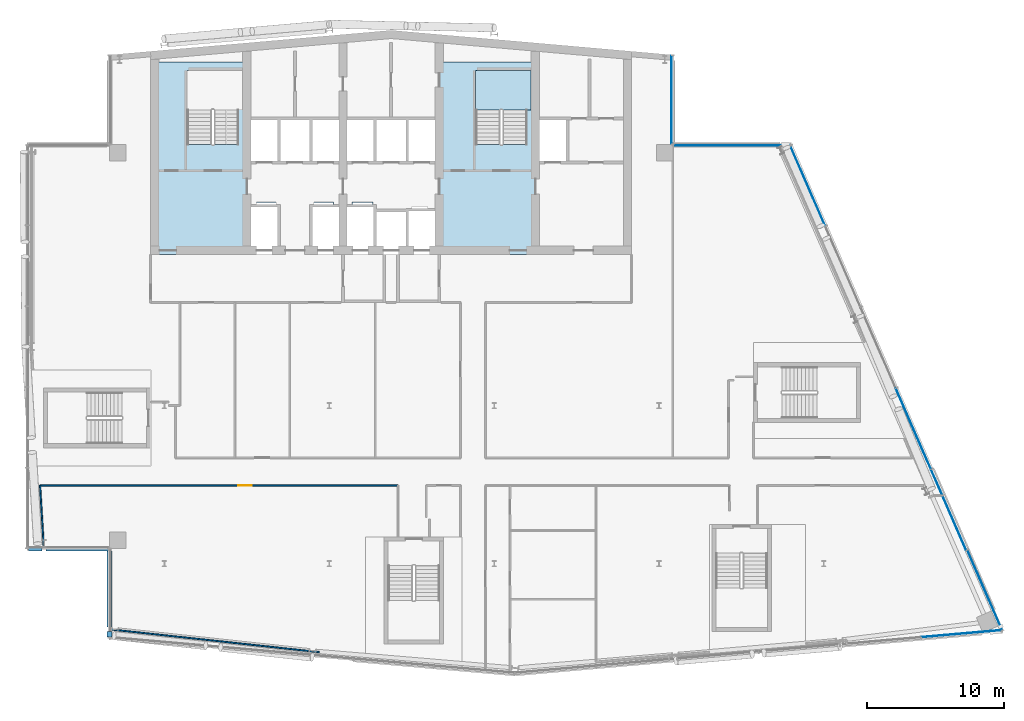
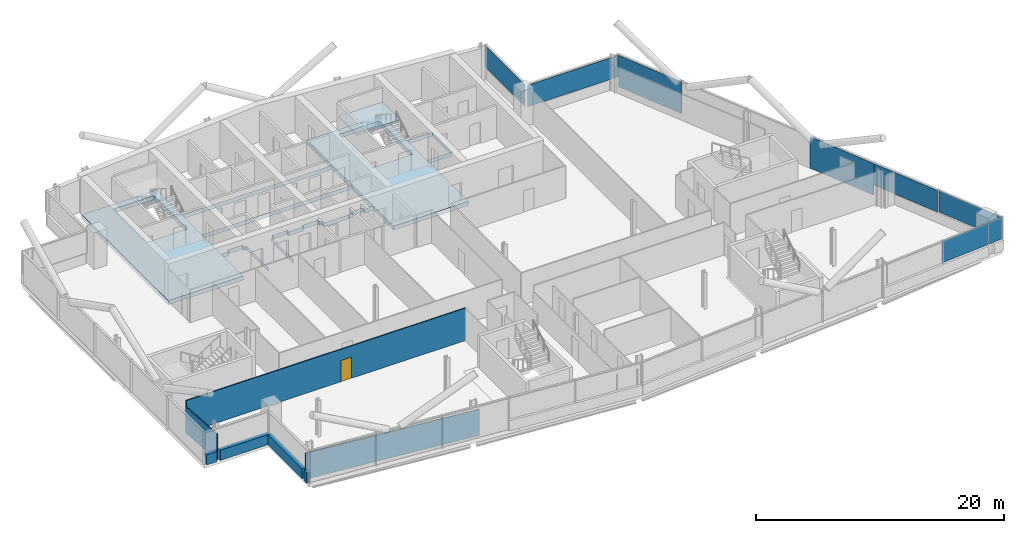
# One storey, part 14 of 26: 7 plates, 7 walls, 2 slabs, 1 door, 1 opening, 5 elements without a shape of their own.
"""IFC4 building model written with IfcOpenShell, lengths in metres."""

from ifc_helpers import new_model, si_unit, direction, frame, frame_2d, origin, origin_2d, place, context, subcontext, project, spatial, polyline, rectangle, outline, extrude, material, layer, layer_set, type_object, element, fill, aggregate, save


model = new_model("IFC4")

# Units and contexts
model_context = context("Model", 3, precision=1e-05, world=origin(), true_north=direction((0.0, 1.0)))
body_context = subcontext(model_context, "Body", "Model", "MODEL_VIEW")
ifc_project = project(units=[si_unit("LENGTHUNIT", "METRE"), si_unit("AREAUNIT", "SQUARE_METRE"), si_unit("VOLUMEUNIT", "CUBIC_METRE"), si_unit("PLANEANGLEUNIT", "RADIAN"), si_unit("MASSUNIT", "GRAM", prefix="KILO")], contexts=[model_context])

# Site, building, storey
site_placement = place(None, origin())
site = spatial("IfcSite", under=ifc_project, at=site_placement, CompositionType="ELEMENT")
building_placement = place(site_placement, origin())
building = spatial("IfcBuilding", under=site, at=building_placement, Name="Wharfspan Tower", CompositionType="ELEMENT")
storey_placement = place(building_placement, frame((0.0, 0.0, 214.300049)))
storey = spatial("IfcBuildingStorey", under=building, at=storey_placement, Name="L53", CompositionType="ELEMENT", Elevation=214.300049)

# Curtain wall, plate
ifc_material_1 = material(Name="Aluminium 6063-T6", Category="aluminium")
curtain_wall_type_1 = type_object("IfcCurtainWallType", Name="CURTAIN WALL FACETED FRONT", PredefinedType="NOTDEFINED", material=ifc_material_1)
curtain_wall_1_placement = place(storey_placement, origin())
curtain_wall_1 = element("IfcCurtainWall", 1, at=curtain_wall_1_placement, inside=storey, type_object=curtain_wall_type_1, Name="Curtain wall S2", PredefinedType="NOTDEFINED")
ifc_material_2 = material(Name="Glass clear low-iron double glazing", Category="glass")
ifc_layer_1 = layer(ifc_material_2, 0.040039)
ifc_layer_set_1 = layer_set([ifc_layer_1], Name="Glass clear low-iron double glazing")
plate_type_1 = type_object("IfcPlateType", Name="GLASS PANEL FACETED FRONT 40", PredefinedType="CURTAIN_PANEL", material=ifc_layer_set_1)
plate_1_placement = place(storey_placement, frame((82.021484, 6.399658, 1.0), z_axis=(0.0, 0.0, 1.0), x_axis=(0.996197, 0.087156, 0.0)))
plate_1 = element("IfcPlate", 2, at=plate_1_placement, type_object=plate_type_1, Name="Curtain wall S2 panel 6", PredefinedType="CURTAIN_PANEL", context=body_context, shape_type="SweptSolid", body=[
    extrude(rectangle(XDim=5.849365, YDim=0.040039, at=origin_2d()), origin(), (0.0, 0.0, 1.0), 2.120117),
])
aggregate(curtain_wall_1, [plate_1])

# Curtain wall, plates
curtain_wall_type_2 = type_object("IfcCurtainWallType", Name="CURTAIN WALL PROW AND END", PredefinedType="NOTDEFINED", material=ifc_material_1)
curtain_wall_2_placement = place(storey_placement, origin())
curtain_wall_2 = element("IfcCurtainWall", 3, at=curtain_wall_2_placement, inside=storey, type_object=curtain_wall_type_2, Name="Curtain wall E", PredefinedType="NOTDEFINED")
ifc_layer_2 = layer(ifc_material_2, 0.040039)
ifc_layer_set_2 = layer_set([ifc_layer_2], Name="Glass clear low-iron double glazing")
plate_type_2 = type_object("IfcPlateType", Name="GLASS PANEL PROW AND END 40", PredefinedType="CURTAIN_PANEL", material=ifc_layer_set_2)
plate_2_placement = place(storey_placement, frame((83.711426, 9.563721, 1.0), z_axis=(0.0, 0.0, 1.0), x_axis=(-0.398727, 0.917072, 0.0)))
plate_2 = element("IfcPlate", 4, at=plate_2_placement, type_object=plate_type_2, Name="Curtain wall E panel 1", PredefinedType="CURTAIN_PANEL", context=body_context, shape_type="SweptSolid", body=[
    extrude(rectangle(XDim=6.343506, YDim=0.040039, at=origin_2d()), origin(), (0.0, 0.0, 1.0), 2.120117),
])
plate_3_placement = place(storey_placement, frame((81.078857, 15.418213, 1.0), z_axis=(0.0, 0.0, 1.0), x_axis=(-0.398727, 0.917072, 0.0)))
plate_3 = element("IfcPlate", 5, at=plate_3_placement, type_object=plate_type_2, Name="Curtain wall E panel 2", PredefinedType="CURTAIN_PANEL", context=body_context, shape_type="SweptSolid", body=[
    extrude(rectangle(XDim=6.373535, YDim=0.040039, at=origin_2d()), origin(), (0.0, 0.0, 1.0), 2.120117),
])

# Curtain wall, plate
curtain_wall_3_placement = place(storey_placement, origin())
curtain_wall_3 = element("IfcCurtainWall", 6, at=curtain_wall_3_placement, inside=storey, type_object=curtain_wall_type_2, Name="Curtain wall NRE-H", PredefinedType="NOTDEFINED")
plate_4_placement = place(storey_placement, frame((65.304443, 41.919922, 1.0), z_axis=(0.0, 0.0, 1.0), x_axis=(-1.0, 0.0, 0.0)))
plate_4 = element("IfcPlate", 7, at=plate_4_placement, type_object=plate_type_2, Name="Curtain wall NRE-H panel 1", PredefinedType="CURTAIN_PANEL", context=body_context, shape_type="SweptSolid", body=[
    extrude(rectangle(XDim=8.48877, YDim=0.040039, at=origin_2d()), origin(), (0.0, 0.0, 1.0), 2.120117),
])
aggregate(curtain_wall_3, [plate_4])

curtain_wall_4_placement = place(storey_placement, origin())
curtain_wall_4 = element("IfcCurtainWall", 8, at=curtain_wall_4_placement, inside=storey, type_object=curtain_wall_type_2, Name="Curtain wall NRE-V", PredefinedType="NOTDEFINED")
plate_5_placement = place(storey_placement, frame((60.919922, 45.262451, 1.0), z_axis=(0.0, 0.0, 1.0), x_axis=(0.0, 1.0, 0.0)))
plate_5 = element("IfcPlate", 9, at=plate_5_placement, type_object=plate_type_2, Name="Curtain wall NRE-V panel 1", PredefinedType="CURTAIN_PANEL", context=body_context, shape_type="SweptSolid", body=[
    extrude(rectangle(XDim=6.405029, YDim=0.040039, at=origin_2d()), origin(), (0.0, 0.0, 1.0), 2.120117),
])
aggregate(curtain_wall_4, [plate_5])

# Plate
ifc_material_3 = material(Name="Aluminium composite opaque insulated panel", Category="aluminium")
ifc_layer_3 = layer(ifc_material_3, 0.040039)
ifc_layer_set_3 = layer_set([ifc_layer_3], Name="Aluminium composite opaque insulated panel")
plate_type_3 = type_object("IfcPlateType", Name="INFILL PANEL PROW AND END OPAQUE 40", PredefinedType="SHEET", material=ifc_layer_set_3)
plate_6_placement = place(storey_placement, frame((78.513672, 21.318115, 0.0), z_axis=(0.0, 0.0, 1.0), x_axis=(-0.398727, 0.917072, 0.0)))
plate_6 = element("IfcPlate", 10, at=plate_6_placement, type_object=plate_type_3, Name="Curtain wall E panel 3", PredefinedType="SHEET", context=body_context, shape_type="SweptSolid", body=[
    extrude(rectangle(XDim=6.373535, YDim=0.040039, at=origin_2d()), origin(), (0.0, 0.0, 1.0), 3.120117),
])

plate_7_placement = place(storey_placement, frame((70.823975, 39.004395, 0.0), z_axis=(0.0, 0.0, 1.0), x_axis=(-0.398727, 0.917072, 0.0)))
plate_7 = element("IfcPlate", 11, at=plate_7_placement, type_object=plate_type_3, Name="Curtain wall E panel 6", PredefinedType="SHEET", context=body_context, shape_type="SweptSolid", body=[
    extrude(rectangle(XDim=6.343506, YDim=0.040039, at=origin_2d()), origin(), (0.0, 0.0, 1.0), 3.120117),
])

aggregate(curtain_wall_2, [plate_2, plate_3, plate_6, plate_7])

# Slab
ifc_material_4 = material(Name="Concrete C40/50", Category="concrete")
ifc_layer_4 = layer(ifc_material_4, 0.399902)
ifc_layer_set_4 = layer_set([ifc_layer_4], Name="Concrete C40/50")
slab_type_1 = type_object("IfcSlabType", Name="Post-tensioned flat slab 400", PredefinedType="FLOOR", material=ifc_layer_set_4)
slab_1_placement = place(storey_placement, frame((0.0, 0.0, -0.400146)))
element("IfcSlab", 12, at=slab_1_placement, inside=storey, type_object=slab_type_1, Name="Core floor slab L53 part 2", PredefinedType="FLOOR", context=body_context, shape_type="SweptSolid", body=[
    extrude(outline(polyline([(23.0, 34.0), (29.998047, 34.0), (29.998047, 37.550049), (29.998047, 37.550293), (29.998047, 37.550293), (29.998047, 37.550537), (29.998291, 37.550781), (29.998291, 37.550781), (29.998291, 37.551025), (29.998535, 37.55127), (29.998535, 37.551514), (29.998779, 37.551514), (29.998779, 37.551758), (29.999023, 37.551758), (29.999268, 37.551758), (29.999512, 37.552002), (29.999512, 37.552002), (29.999756, 37.552002), (30.0, 37.552002), (30.7146, 37.552002), (30.7146, 37.800049), (30.7146, 37.800293), (30.7146, 37.800293), (30.714844, 37.800537), (30.714844, 37.800781), (30.714844, 37.800781), (30.715088, 37.801025), (30.715088, 37.80127), (30.715332, 37.801514), (30.715332, 37.801514), (30.715576, 37.801758), (30.71582, 37.801758), (30.71582, 37.801758), (30.716064, 37.802002), (30.716309, 37.802002), (30.716553, 37.802002), (30.716797, 37.802002), (32.116699, 37.802002), (32.116943, 37.802002), (32.117188, 37.802002), (32.117188, 37.802002), (32.117432, 37.801758), (32.117676, 37.801758), (32.11792, 37.801758), (32.11792, 37.801514), (32.118164, 37.801514), (32.118164, 37.80127), (32.118408, 37.801025), (32.118408, 37.800781), (32.118408, 37.800781), (32.118652, 37.800537), (32.118652, 37.800293), (32.118652, 37.800293), (32.118652, 37.800049), (32.118652, 37.552002), (32.333252, 37.552002), (32.333496, 37.552002), (32.33374, 37.552002), (32.333984, 37.552002), (32.333984, 37.551758), (32.334229, 37.551758), (32.334473, 37.551758), (32.334717, 37.551514), (32.334717, 37.551514), (32.334961, 37.55127), (32.334961, 37.551025), (32.335205, 37.550781), (32.335205, 37.550781), (32.335205, 37.550537), (32.335205, 37.550293), (32.335205, 37.550293), (32.335205, 37.550049), (32.335205, 34.0), (32.341309, 34.0), (32.341309, 37.558105), (32.126709, 37.558105), (32.126465, 37.558105), (32.126221, 37.558105), (32.126221, 37.558105), (32.125977, 37.558105), (32.125732, 37.558105), (32.125488, 37.55835), (32.125488, 37.558594), (32.125244, 37.558594), (32.125244, 37.558594), (32.125, 37.558838), (32.125, 37.559082), (32.125, 37.559082), (32.124756, 37.559326), (32.124756, 37.55957), (32.124756, 37.559814), (32.124756, 37.560059), (32.124756, 37.808105), (30.70874, 37.808105), (30.70874, 37.560059), (30.70874, 37.559814), (30.70874, 37.55957), (30.708496, 37.559326), (30.708496, 37.559082), (30.708496, 37.559082), (30.708496, 37.558838), (30.708252, 37.558594), (30.708008, 37.558594), (30.708008, 37.558594), (30.707764, 37.55835), (30.70752, 37.558105), (30.70752, 37.558105), (30.707275, 37.558105), (30.707031, 37.558105), (30.706787, 37.558105), (30.706787, 37.558105), (30.01001, 37.558105), (30.009766, 37.558105), (30.009521, 37.558105), (30.009521, 37.558105), (30.009277, 37.558105), (30.009033, 37.558105), (30.008789, 37.55835), (30.008789, 37.558594), (30.008545, 37.558594), (30.008545, 37.558594), (30.008301, 37.558838), (30.008301, 37.559082), (30.008301, 37.559082), (30.008057, 37.559326), (30.008057, 37.55957), (30.008057, 37.559814), (30.008057, 37.560059), (30.008057, 40.689941), (30.008057, 40.690186), (30.008057, 40.69043), (30.008057, 40.690674), (30.008301, 40.690918), (30.008301, 40.690918), (30.008301, 40.691162), (30.008545, 40.691406), (30.008545, 40.691406), (30.008789, 40.691406), (30.008789, 40.69165), (30.009033, 40.691895), (30.009277, 40.691895), (30.009521, 40.691895), (30.009521, 40.691895), (30.009766, 40.691895), (30.01001, 40.691895), (43.98999, 40.691895), (43.990234, 40.691895), (43.990479, 40.691895), (43.990479, 40.691895), (43.990723, 40.691895), (43.990967, 40.691895), (43.991211, 40.69165), (43.991211, 40.691406), (43.991455, 40.691406), (43.991455, 40.691406), (43.991699, 40.691162), (43.991699, 40.690918), (43.991699, 40.690918), (43.991943, 40.690674), (43.991943, 40.69043), (43.991943, 40.690186), (43.991943, 40.689941), (43.991943, 37.26001), (43.991943, 37.259766), (43.991943, 37.259521), (43.991943, 37.259521), (43.991699, 37.259277), (43.991699, 37.259033), (43.991699, 37.258789), (43.991455, 37.258789), (43.991455, 37.258545), (43.991211, 37.258545), (43.991211, 37.258301), (43.990967, 37.258301), (43.990723, 37.258301), (43.990479, 37.258057), (43.990479, 37.258057), (43.990234, 37.258057), (43.98999, 37.258057), (43.143311, 37.258057), (43.143066, 37.258057), (43.142822, 37.258057), (43.142578, 37.258057), (43.142578, 37.258301), (43.142334, 37.258301), (43.14209, 37.258301), (43.14209, 37.258545), (43.141846, 37.258545), (43.141846, 37.258789), (43.141602, 37.258789), (43.141602, 37.259033), (43.141602, 37.259277), (43.141357, 37.259521), (43.141357, 37.259521), (43.141357, 37.259766), (43.141357, 37.26001), (43.141357, 37.508057), (42.025391, 37.508057), (42.025391, 37.26001), (42.025391, 37.259766), (42.025391, 37.259521), (42.025146, 37.259521), (42.025146, 37.259277), (42.025146, 37.259033), (42.024902, 37.258789), (42.024902, 37.258789), (42.024658, 37.258545), (42.024658, 37.258545), (42.024414, 37.258301), (42.02417, 37.258301), (42.02417, 37.258301), (42.023926, 37.258057), (42.023682, 37.258057), (42.023438, 37.258057), (42.023193, 37.258057), (41.658691, 37.258057), (41.658691, 37.209961), (41.658691, 37.209717), (41.658691, 37.209717), (41.658691, 37.209473), (41.658447, 37.209229), (41.658447, 37.208984), (41.658447, 37.208984), (41.658203, 37.20874), (41.658203, 37.208496), (41.657959, 37.208496), (41.657715, 37.208252), (41.657715, 37.208252), (41.657471, 37.208252), (41.657227, 37.208008), (41.656982, 37.208008), (41.656982, 37.208008), (41.656738, 37.208008), (39.343262, 37.208008), (39.343018, 37.208008), (39.343018, 37.208008), (39.342773, 37.208008), (39.342529, 37.208252), (39.342285, 37.208252), (39.342285, 37.208252), (39.342041, 37.208496), (39.341797, 37.208496), (39.341797, 37.20874), (39.341553, 37.208984), (39.341553, 37.208984), (39.341553, 37.209229), (39.341309, 37.209473), (39.341309, 37.209717), (39.341309, 37.209717), (39.341309, 37.209961), (39.341309, 37.558105), (39.166748, 37.558105), (39.166504, 37.558105), (39.16626, 37.558105), (39.166016, 37.558105), (39.166016, 37.558105), (39.165771, 37.558105), (39.165527, 37.55835), (39.165283, 37.558594), (39.165283, 37.558594), (39.165283, 37.558594), (39.165039, 37.558838), (39.164795, 37.559082), (39.164795, 37.559082), (39.164795, 37.559326), (39.164795, 37.55957), (39.164795, 37.559814), (39.164795, 37.560059), (39.164795, 37.808105), (37.668701, 37.808105), (37.668701, 37.560059), (37.668701, 37.559814), (37.668701, 37.55957), (37.668701, 37.559326), (37.668457, 37.559082), (37.668457, 37.559082), (37.668457, 37.558838), (37.668213, 37.558594), (37.668213, 37.558594), (37.667969, 37.558594), (37.667725, 37.55835), (37.66748, 37.558105), (37.66748, 37.558105), (37.667236, 37.558105), (37.666992, 37.558105), (37.666992, 37.558105), (37.666748, 37.558105), (36.293213, 37.558105), (36.293213, 37.558105), (36.292969, 37.558105), (36.292725, 37.558105), (36.29248, 37.558105), (36.29248, 37.558105), (36.292236, 37.55835), (36.291992, 37.558594), (36.291992, 37.558594), (36.291748, 37.558594), (36.291504, 37.558838), (36.291504, 37.559082), (36.291504, 37.559082), (36.291504, 37.559326), (36.29126, 37.55957), (36.29126, 37.559814), (36.29126, 37.560059), (36.29126, 37.808105), (34.875244, 37.808105), (34.875244, 37.560059), (34.875244, 37.559814), (34.875244, 37.55957), (34.875244, 37.559326), (34.875, 37.559082), (34.875, 37.559082), (34.875, 37.558838), (34.874756, 37.558594), (34.874756, 37.558594), (34.874512, 37.558594), (34.874512, 37.55835), (34.874268, 37.558105), (34.874023, 37.558105), (34.873779, 37.558105), (34.873779, 37.558105), (34.873535, 37.558105), (34.873291, 37.558105), (34.658691, 37.558105), (34.658691, 34.0), (34.664795, 34.0), (34.664795, 37.550049), (34.664795, 37.550293), (34.664795, 37.550293), (34.664795, 37.550537), (34.664795, 37.550781), (34.664795, 37.550781), (34.665039, 37.551025), (34.665039, 37.55127), (34.665283, 37.551514), (34.665283, 37.551514), (34.665527, 37.551758), (34.665771, 37.551758), (34.666016, 37.551758), (34.666016, 37.552002), (34.66626, 37.552002), (34.666504, 37.552002), (34.666748, 37.552002), (34.881348, 37.552002), (34.881348, 37.800049), (34.881348, 37.800293), (34.881348, 37.800293), (34.881348, 37.800537), (34.881592, 37.800781), (34.881592, 37.800781), (34.881592, 37.801025), (34.881836, 37.80127), (34.881836, 37.801514), (34.88208, 37.801514), (34.88208, 37.801758), (34.882324, 37.801758), (34.882568, 37.801758), (34.882812, 37.802002), (34.882812, 37.802002), (34.883057, 37.802002), (34.883301, 37.802002), (36.283203, 37.802002), (36.283447, 37.802002), (36.283691, 37.802002), (36.283936, 37.802002), (36.28418, 37.801758), (36.28418, 37.801758), (36.284424, 37.801758), (36.284668, 37.801514), (36.284668, 37.801514), (36.284912, 37.80127), (36.284912, 37.801025), (36.285156, 37.800781), (36.285156, 37.800781), (36.285156, 37.800537), (36.2854, 37.800293), (36.2854, 37.800293), (36.2854, 37.800049), (36.2854, 37.552002), (37.674805, 37.552002), (37.674805, 37.800049), (37.674805, 37.800293), (37.674805, 37.800293), (37.674805, 37.800537), (37.674805, 37.800781), (37.674805, 37.800781), (37.675049, 37.801025), (37.675049, 37.80127), (37.675293, 37.801514), (37.675293, 37.801514), (37.675537, 37.801758), (37.675781, 37.801758), (37.675781, 37.801758), (37.676025, 37.802002), (37.67627, 37.802002), (37.676514, 37.802002), (37.676758, 37.802002), (39.156738, 37.802002), (39.156982, 37.802002), (39.156982, 37.802002), (39.157227, 37.802002), (39.157471, 37.801758), (39.157715, 37.801758), (39.157715, 37.801758), (39.157959, 37.801514), (39.158203, 37.801514), (39.158203, 37.80127), (39.158203, 37.801025), (39.158447, 37.800781), (39.158447, 37.800781), (39.158691, 37.800537), (39.158691, 37.800293), (39.158691, 37.800293), (39.158691, 37.800049), (39.158691, 37.552002), (39.333252, 37.552002), (39.333496, 37.552002), (39.33374, 37.552002), (39.333984, 37.552002), (39.333984, 37.551758), (39.334229, 37.551758), (39.334473, 37.551758), (39.334717, 37.551514), (39.334717, 37.551514), (39.334961, 37.55127), (39.334961, 37.551025), (39.335205, 37.550781), (39.335205, 37.550781), (39.335205, 37.550537), (39.335205, 37.550293), (39.335205, 37.550293), (39.335205, 37.550049), (39.335205, 37.201904), (41.664795, 37.201904), (41.664795, 37.25), (41.664795, 37.250244), (41.664795, 37.250488), (41.664795, 37.250488), (41.664795, 37.250732), (41.664795, 37.250977), (41.665039, 37.251221), (41.665039, 37.251221), (41.665283, 37.251465), (41.665283, 37.251465), (41.665527, 37.251709), (41.665771, 37.251709), (41.666016, 37.251709), (41.666016, 37.251953), (41.66626, 37.251953), (41.666504, 37.251953), (41.666748, 37.251953), (42.03125, 37.251953), (42.03125, 37.5), (42.03125, 37.500244), (42.031494, 37.500488), (42.031494, 37.500488), (42.031494, 37.500732), (42.031494, 37.500977), (42.031738, 37.501221), (42.031738, 37.501221), (42.031982, 37.501465), (42.031982, 37.501465), (42.032227, 37.501709), (42.032471, 37.501709), (42.032715, 37.501709), (42.032715, 37.501953), (42.032959, 37.501953), (42.033203, 37.501953), (42.033203, 37.501953), (43.133301, 37.501953), (43.133545, 37.501953), (43.133789, 37.501953), (43.133789, 37.501953), (43.134033, 37.501709), (43.134277, 37.501709), (43.134521, 37.501709), (43.134521, 37.501465), (43.134766, 37.501465), (43.13501, 37.501221), (43.13501, 37.501221), (43.13501, 37.500977), (43.135254, 37.500732), (43.135254, 37.500488), (43.135254, 37.500488), (43.135254, 37.500244), (43.135254, 37.5), (43.135254, 37.251953), (44.0, 37.251953), (44.000244, 37.251953), (44.000488, 37.251953), (44.000488, 37.251953), (44.000732, 37.251709), (44.000977, 37.251709), (44.001221, 37.251709), (44.001221, 37.251465), (44.001465, 37.251465), (44.001465, 37.251221), (44.001709, 37.251221), (44.001709, 37.250977), (44.001709, 37.250732), (44.001953, 37.250488), (44.001953, 37.250488), (44.001953, 37.250244), (44.001953, 37.25), (44.001953, 34.0), (51.0, 34.0), (51.008057, 34.0), (51.008057, 40.689941), (51.008057, 40.690186), (51.008057, 40.69043), (51.008057, 40.690674), (51.008301, 40.690918), (51.008301, 40.690918), (51.008301, 40.691162), (51.008545, 40.691406), (51.008545, 40.691406), (51.008789, 40.691406), (51.008789, 40.69165), (51.009033, 40.691895), (51.009277, 40.691895), (51.009521, 40.691895), (51.009521, 40.691895), (51.009766, 40.691895), (51.01001, 40.691895), (53.341309, 40.691895), (53.341309, 43.907959), (51.01001, 43.907959), (51.009766, 43.907959), (51.009521, 43.907959), (51.009521, 43.908203), (51.009277, 43.908203), (51.009033, 43.908203), (51.008789, 43.908203), (51.008789, 43.908447), (51.008545, 43.908691), (51.008545, 43.908691), (51.008301, 43.908936), (51.008301, 43.90918), (51.008301, 43.90918), (51.008057, 43.909424), (51.008057, 43.909668), (51.008057, 43.909912), (51.008057, 43.909912), (51.008057, 48.008057), (43.991943, 48.008057), (43.991943, 43.909912), (43.991943, 43.909912), (43.991943, 43.909668), (43.991943, 43.909424), (43.991699, 43.90918), (43.991699, 43.90918), (43.991699, 43.908936), (43.991455, 43.908691), (43.991455, 43.908691), (43.991211, 43.908447), (43.991211, 43.908203), (43.990967, 43.908203), (43.990723, 43.908203), (43.990479, 43.908203), (43.990479, 43.907959), (43.990234, 43.907959), (43.98999, 43.907959), (30.01001, 43.907959), (30.009766, 43.907959), (30.009521, 43.907959), (30.009521, 43.908203), (30.009277, 43.908203), (30.009033, 43.908203), (30.008789, 43.908203), (30.008789, 43.908447), (30.008545, 43.908691), (30.008545, 43.908691), (30.008301, 43.908936), (30.008301, 43.90918), (30.008301, 43.90918), (30.008057, 43.909424), (30.008057, 43.909668), (30.008057, 43.909912), (30.008057, 43.909912), (30.008057, 48.008057), (23.0, 48.008057), (23.0, 48.0), (23.0, 34.0)]), holes=[polyline([(53.333252, 43.9021), (53.333496, 43.9021), (53.33374, 43.9021), (53.333984, 43.901855), (53.333984, 43.901855), (53.334229, 43.901855), (53.334473, 43.901611), (53.334717, 43.901611), (53.334717, 43.901367), (53.334961, 43.901367), (53.334961, 43.901123), (53.335205, 43.900879), (53.335205, 43.900879), (53.335205, 43.900635), (53.335205, 43.900391), (53.335205, 43.900146), (53.335205, 43.899902), (53.335205, 40.699951), (53.335205, 40.699707), (53.335205, 40.699707), (53.335205, 40.699463), (53.335205, 40.699219), (53.335205, 40.699219), (53.334961, 40.698975), (53.334961, 40.69873), (53.334717, 40.698486), (53.334717, 40.698486), (53.334473, 40.698242), (53.334229, 40.698242), (53.333984, 40.698242), (53.333984, 40.697998), (53.33374, 40.697998), (53.333496, 40.697998), (53.333252, 40.697998), (51.0, 40.697998), (50.999756, 40.697998), (50.999512, 40.697998), (50.999512, 40.697998), (50.999268, 40.698242), (50.999023, 40.698242), (50.998779, 40.698242), (50.998779, 40.698486), (50.998535, 40.698486), (50.998535, 40.69873), (50.998291, 40.698975), (50.998291, 40.699219), (50.998291, 40.699219), (50.998047, 40.699463), (50.998047, 40.699707), (50.998047, 40.699707), (50.998047, 40.699951), (50.998047, 43.899902), (50.998047, 43.900146), (50.998047, 43.900391), (50.998047, 43.900635), (50.998291, 43.900879), (50.998291, 43.900879), (50.998291, 43.901123), (50.998535, 43.901367), (50.998535, 43.901367), (50.998779, 43.901611), (50.998779, 43.901611), (50.999023, 43.901855), (50.999268, 43.901855), (50.999512, 43.901855), (50.999512, 43.9021), (50.999756, 43.9021), (51.0, 43.9021), (53.333252, 43.9021)]), polyline([(46.649902, 41.998047), (46.649902, 41.998047), (46.649658, 41.998047), (46.649414, 41.998047), (46.64917, 41.998291), (46.64917, 41.998291), (46.648926, 41.998291), (46.648682, 41.998535), (46.648682, 41.998535), (46.648438, 41.998779), (46.648193, 41.998779), (46.648193, 41.999023), (46.648193, 41.999268), (46.648193, 41.999512), (46.647949, 41.999512), (46.647949, 41.999756), (46.647949, 42.0), (46.647949, 47.399902), (46.647949, 47.400146), (46.647949, 47.400391), (46.648193, 47.400635), (46.648193, 47.400879), (46.648193, 47.400879), (46.648193, 47.401123), (46.648438, 47.401367), (46.648682, 47.401367), (46.648682, 47.401611), (46.648926, 47.401611), (46.64917, 47.401855), (46.64917, 47.401855), (46.649414, 47.401855), (46.649658, 47.4021), (46.649902, 47.4021), (46.649902, 47.4021), (50.399902, 47.4021), (50.400146, 47.4021), (50.400391, 47.4021), (50.400635, 47.401855), (50.400879, 47.401855), (50.400879, 47.401855), (50.401123, 47.401611), (50.401367, 47.401611), (50.401367, 47.401367), (50.401611, 47.401367), (50.401611, 47.401123), (50.401855, 47.400879), (50.401855, 47.400879), (50.401855, 47.400635), (50.4021, 47.400391), (50.4021, 47.400146), (50.4021, 47.399902), (50.4021, 42.0), (50.4021, 41.999756), (50.4021, 41.999512), (50.401855, 41.999512), (50.401855, 41.999268), (50.401855, 41.999023), (50.401611, 41.998779), (50.401611, 41.998779), (50.401367, 41.998535), (50.401367, 41.998535), (50.401123, 41.998291), (50.400879, 41.998291), (50.400879, 41.998291), (50.400635, 41.998047), (50.400391, 41.998047), (50.400146, 41.998047), (50.399902, 41.998047), (46.649902, 41.998047)]), polyline([(44.0, 43.9021), (44.000244, 43.9021), (44.000488, 43.9021), (44.000488, 43.901855), (44.000732, 43.901855), (44.000977, 43.901855), (44.001221, 43.901611), (44.001221, 43.901611), (44.001465, 43.901367), (44.001465, 43.901367), (44.001709, 43.901123), (44.001709, 43.900879), (44.001709, 43.900879), (44.001953, 43.900635), (44.001953, 43.900391), (44.001953, 43.900146), (44.001953, 43.899902), (44.001953, 40.699951), (44.001953, 40.699707), (44.001953, 40.699707), (44.001953, 40.699463), (44.001709, 40.699219), (44.001709, 40.699219), (44.001709, 40.698975), (44.001465, 40.69873), (44.001465, 40.698486), (44.001221, 40.698486), (44.001221, 40.698242), (44.000977, 40.698242), (44.000732, 40.698242), (44.000488, 40.697998), (44.000488, 40.697998), (44.000244, 40.697998), (44.0, 40.697998), (30.0, 40.697998), (29.999756, 40.697998), (29.999512, 40.697998), (29.999512, 40.697998), (29.999268, 40.698242), (29.999023, 40.698242), (29.998779, 40.698242), (29.998779, 40.698486), (29.998535, 40.698486), (29.998535, 40.69873), (29.998291, 40.698975), (29.998291, 40.699219), (29.998291, 40.699219), (29.998047, 40.699463), (29.998047, 40.699707), (29.998047, 40.699707), (29.998047, 40.699951), (29.998047, 43.899902), (29.998047, 43.900146), (29.998047, 43.900391), (29.998047, 43.900635), (29.998291, 43.900879), (29.998291, 43.900879), (29.998291, 43.901123), (29.998535, 43.901367), (29.998535, 43.901367), (29.998779, 43.901611), (29.998779, 43.901611), (29.999023, 43.901855), (29.999268, 43.901855), (29.999512, 43.901855), (29.999512, 43.9021), (29.999756, 43.9021), (30.0, 43.9021), (44.0, 43.9021)]), polyline([(29.4021, 42.0), (29.4021, 41.999756), (29.4021, 41.999512), (29.401855, 41.999512), (29.401855, 41.999268), (29.401855, 41.999023), (29.401611, 41.998779), (29.401611, 41.998779), (29.401367, 41.998535), (29.401367, 41.998535), (29.401123, 41.998291), (29.400879, 41.998291), (29.400879, 41.998291), (29.400635, 41.998047), (29.400391, 41.998047), (29.400146, 41.998047), (29.399902, 41.998047), (25.649902, 41.998047), (25.649902, 41.998047), (25.649658, 41.998047), (25.649414, 41.998047), (25.64917, 41.998291), (25.64917, 41.998291), (25.648926, 41.998291), (25.648682, 41.998535), (25.648682, 41.998535), (25.648438, 41.998779), (25.648193, 41.998779), (25.648193, 41.999023), (25.648193, 41.999268), (25.648193, 41.999512), (25.647949, 41.999512), (25.647949, 41.999756), (25.647949, 42.0), (25.647949, 47.399902), (25.647949, 47.400146), (25.647949, 47.400391), (25.648193, 47.400635), (25.648193, 47.400879), (25.648193, 47.400879), (25.648193, 47.401123), (25.648438, 47.401367), (25.648682, 47.401367), (25.648682, 47.401611), (25.648926, 47.401611), (25.64917, 47.401855), (25.64917, 47.401855), (25.649414, 47.401855), (25.649658, 47.4021), (25.649902, 47.4021), (25.649902, 47.4021), (29.399902, 47.4021), (29.400146, 47.4021), (29.400391, 47.4021), (29.400635, 47.401855), (29.400879, 47.401855), (29.400879, 47.401855), (29.401123, 47.401611), (29.401367, 47.401611), (29.401367, 47.401367), (29.401611, 47.401367), (29.401611, 47.401123), (29.401855, 47.400879), (29.401855, 47.400879), (29.401855, 47.400635), (29.4021, 47.400391), (29.4021, 47.400146), (29.4021, 47.399902), (29.4021, 42.0)])]), origin(), (0.0, 0.0, 1.0), 0.400146),
])

# Stair, slab
stair_type = type_object("IfcStairType", Name="Half-turn stair 20 risers 180 mm", PredefinedType="HALF_TURN_STAIR", material=ifc_material_4)
stair_placement = place(storey_placement, origin())
stair = element("IfcStair", 13, at=stair_placement, inside=storey, type_object=stair_type, Name="L53 stair ST2", PredefinedType="HALF_TURN_STAIR")
ifc_layer_5 = layer(ifc_material_4, 0.199951)
ifc_layer_set_5 = layer_set([ifc_layer_5], Name="Concrete C40/50")
slab_type_2 = type_object("IfcSlabType", Name="Stair landing 200", PredefinedType="LANDING", material=ifc_layer_set_5)
slab_2_placement = place(storey_placement, frame((0.0, 0.0, 1.599854)))
slab_2 = element("IfcSlab", 14, at=slab_2_placement, type_object=slab_type_2, Name="ST2 landing 1", PredefinedType="LANDING", context=body_context, shape_type="SweptSolid", body=[
    extrude(outline(polyline([(46.649902, 44.52002), (50.699951, 44.52002), (50.699951, 47.399902), (46.649902, 47.399902), (46.649902, 44.52002)])), origin(), (0.0, 0.0, 1.0), 0.200195),
])
aggregate(stair, [slab_2])

# Wall, opening, door
ifc_material_5 = material(Name="Gypsum board on steel studs", Category="steel")
ifc_layer_6 = layer(ifc_material_5, 0.100098)
ifc_layer_set_6 = layer_set([ifc_layer_6], Name="Gypsum board on steel studs")
wall_type_1 = type_object("IfcWallType", Name="Compartment wall 100 EI 60", PredefinedType="PARTITIONING", material=ifc_layer_set_6)
wall_1_placement = place(storey_placement, frame((14.945068, 17.195068, 0.0), z_axis=(0.0, 0.0, 1.0), x_axis=(1.0, 0.0, 0.0)))
wall_1 = element("IfcWall", 15, at=wall_1_placement, inside=storey, type_object=wall_type_1, Name="Partition L53.w003", PredefinedType="PARTITIONING", context=body_context, shape_type="SweptSolid", body=[
    extrude(rectangle(XDim=26.054932, YDim=0.100098, at=frame_2d((13.027344, 0.0))), origin(), (0.0, 0.0, 1.0), 3.199951),
])
opening_placement = place(wall_1_placement, frame((14.419922, 0.0, 0.0)))
opening = element("IfcOpeningElement", 16, at=opening_placement, cuts=wall_1, Name="Opening D2-06", PredefinedType="OPENING", context=body_context, shape_type="SweptSolid", body=[
    extrude(rectangle(XDim=1.0, YDim=2.100098, at=frame_2d((0.5, 1.050049))), frame((0.0, 0.060059, 0.0), z_axis=(0.0, -1.0, 0.0), x_axis=(1.0, 0.0, 0.0)), (0.0, 0.0, 1.0), 0.120117),
])
ifc_material_6 = material(Name="Fire-rated timber door leaf in steel frame", Category="steel")
door_type = type_object("IfcDoorType", Name="Door 1000 FD30S Right", OperationType="SINGLE_SWING_RIGHT", PredefinedType="DOOR", material=ifc_material_6)
door_placement = place(opening_placement, origin())
door = element("IfcDoor", 17, at=door_placement, inside=storey, type_object=door_type, Name="Door D2-06", OperationType="SINGLE_SWING_RIGHT", OverallHeight=2.100098, OverallWidth=1.0, PredefinedType="DOOR", context=body_context, shape_type="SweptSolid", body=[
    extrude(rectangle(XDim=1.0, YDim=2.100098, at=frame_2d((0.5, 1.050049))), frame((0.0, 0.024902, 0.0), z_axis=(0.0, -1.0, 0.0), x_axis=(1.0, 0.0, 0.0)), (0.0, 0.0, 1.0), 0.050049),
])
fill(opening, door)

# Walls
wall_2_placement = place(storey_placement, frame((15.223877, 12.620117, 0.0), z_axis=(0.0, 0.0, 1.0), x_axis=(-0.060903, 0.99814, 0.0)))
element("IfcWall", 18, at=wall_2_placement, inside=storey, type_object=wall_type_1, Name="Partition L53.w004", PredefinedType="PARTITIONING", context=body_context, shape_type="SweptSolid", body=[
    extrude(rectangle(XDim=4.585938, YDim=0.100098, at=frame_2d((2.292969, 0.0))), origin(), (0.0, 0.0, 1.0), 2.579834),
])
ifc_layer_7 = layer(ifc_material_5, 0.100098)
ifc_layer_set_7 = layer_set([ifc_layer_7], Name="Gypsum board on steel studs")
wall_type_2 = type_object("IfcWallType", Name="Partition 100", PredefinedType="PARTITIONING", material=ifc_layer_set_7)
wall_3_placement = place(storey_placement, frame((35.274902, 5.054932, 0.0), z_axis=(0.0, 0.0, 1.0), x_axis=(-0.994128, 0.108228, 0.0)))
element("IfcWall", 19, at=wall_3_placement, inside=storey, type_object=wall_type_2, Name="Partition L53.w014", PredefinedType="PARTITIONING", context=body_context, shape_type="SweptSolid", body=[
    extrude(rectangle(XDim=15.334961, YDim=0.100098, at=frame_2d((7.66748, 0.0))), origin(), (0.0, 0.0, 1.0), 2.579834),
])
ifc_layer_8 = layer(ifc_material_4, 0.350098)
ifc_layer_set_8 = layer_set([ifc_layer_8], Name="Concrete C40/50")
wall_type_3 = type_object("IfcWallType", Name="SPANDREL EXPOSED CONCRETE 350", PredefinedType="SOLIDWALL", material=ifc_layer_set_8)
wall_4_placement = place(storey_placement, frame((14.120117, 12.594971, 0.0), z_axis=(0.0, 0.0, 1.0), x_axis=(1.0, 0.0, 0.0)))
element("IfcWall", 20, at=wall_4_placement, inside=storey, type_object=wall_type_3, Name="Spandrel upstand L53 NFW-H", PredefinedType="SOLIDWALL", context=body_context, shape_type="SweptSolid", body=[
    extrude(rectangle(XDim=0.9646, YDim=0.350098, at=frame_2d((0.482422, 0.0))), origin(), (0.0, 0.0, 1.0), 1.0),
])
wall_5_placement = place(storey_placement, frame((15.390625, 12.594971, 0.0), z_axis=(0.0, 0.0, 1.0), x_axis=(1.0, 0.0, 0.0)))
element("IfcWall", 21, at=wall_5_placement, inside=storey, type_object=wall_type_3, Name="Spandrel upstand L53 NFW-H 2", PredefinedType="SOLIDWALL", context=body_context, shape_type="SweptSolid", body=[
    extrude(rectangle(XDim=4.609375, YDim=0.350098, at=frame_2d((2.304688, 0.0))), origin(), (0.0, 0.0, 1.0), 1.0),
])
wall_6_placement = place(storey_placement, frame((19.995117, 12.419922, 0.0), z_axis=(0.0, 0.0, 1.0), x_axis=(0.0, -1.0, 0.0)))
element("IfcWall", 22, at=wall_6_placement, inside=storey, type_object=wall_type_3, Name="Spandrel upstand L53 NFW-V", PredefinedType="SOLIDWALL", context=body_context, shape_type="SweptSolid", body=[
    extrude(rectangle(XDim=5.542236, YDim=0.350098, at=frame_2d((2.770996, 0.0))), origin(), (0.0, 0.0, 1.0), 1.0),
])
wall_7_placement = place(storey_placement, frame((19.995117, 6.568359, 0.0), z_axis=(0.0, 0.0, 1.0), x_axis=(0.0, -1.0, 0.0)))
element("IfcWall", 23, at=wall_7_placement, inside=storey, type_object=wall_type_3, Name="Spandrel upstand L53 NFW-V 2", PredefinedType="SOLIDWALL", context=body_context, shape_type="SweptSolid", body=[
    extrude(rectangle(XDim=0.393555, YDim=0.350098, at=frame_2d((0.196777, 0.0))), origin(), (0.0, 0.0, 1.0), 1.0),
])

save(model, "model.ifc")
